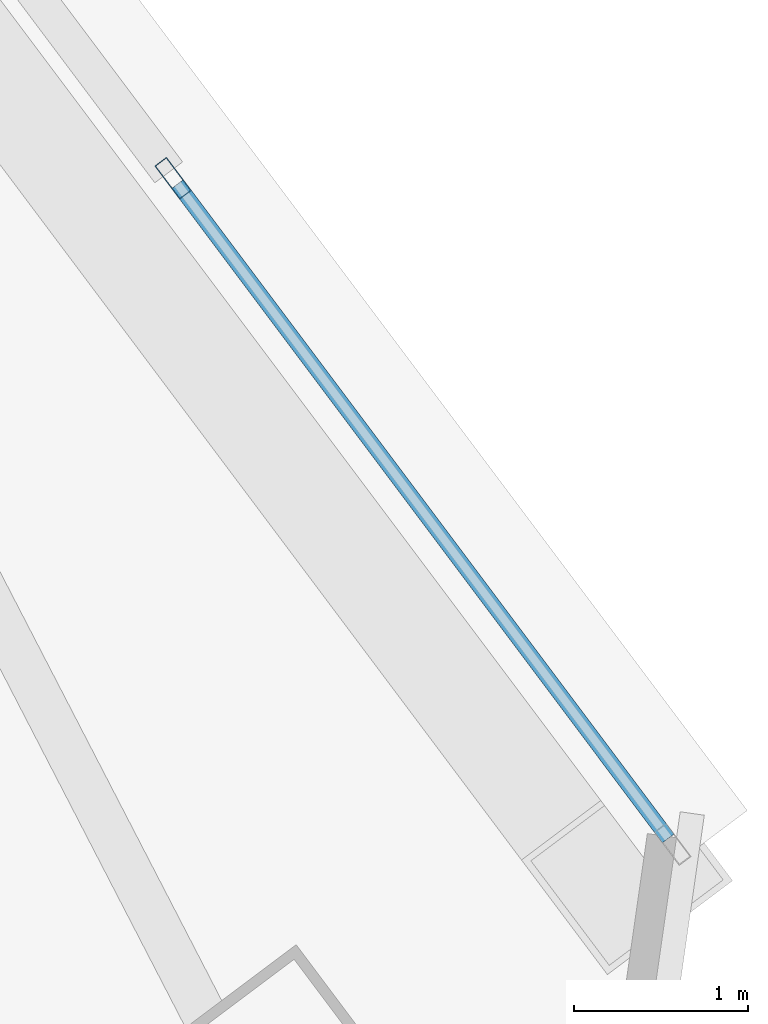
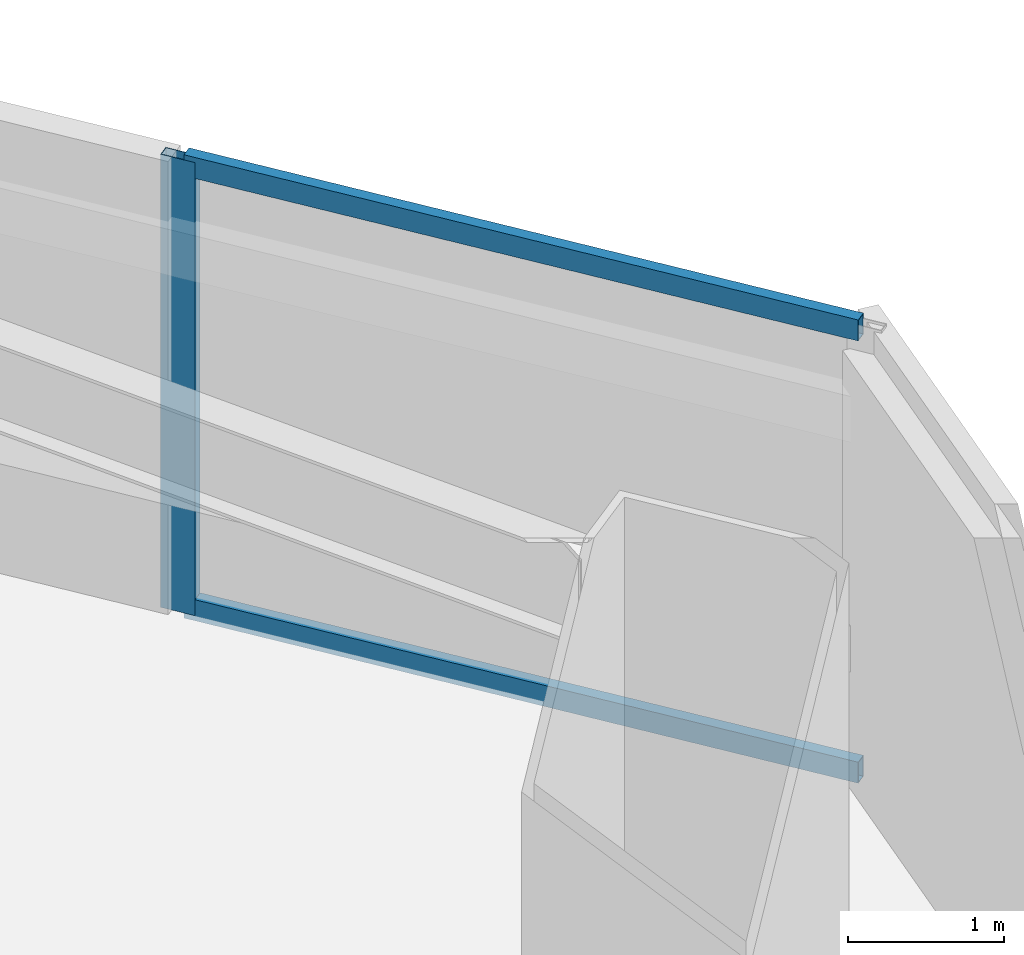
# One storey, part 50 of 75: 3 members, 1 element without a shape of its own.
"""IFC4 building model written with IfcOpenShell, lengths in metres."""

from ifc_helpers import new_model, si_unit, direction, frame, origin, origin_2d, place, context, subcontext, project, spatial, hollow_rectangle, extrude, material, material_profile, profile_set, type_object, element, aggregate, save


model = new_model("IFC4")

# Units and contexts
model_context = context("Model", 3, precision=1e-05, world=origin(), true_north=direction((0.0, 1.0)))
body_context = subcontext(model_context, "Body", "Model", "MODEL_VIEW")
ifc_project = project(units=[si_unit("LENGTHUNIT", "METRE"), si_unit("AREAUNIT", "SQUARE_METRE"), si_unit("VOLUMEUNIT", "CUBIC_METRE"), si_unit("PLANEANGLEUNIT", "RADIAN"), si_unit("MASSUNIT", "GRAM", prefix="KILO")], contexts=[model_context])

# Site, building, storey
site_placement = place(None, origin())
site = spatial("IfcSite", under=ifc_project, at=site_placement, CompositionType="ELEMENT")
building_placement = place(site_placement, origin())
building = spatial("IfcBuilding", under=site, at=building_placement, Name="Tashvorn Skyway Center", CompositionType="ELEMENT")
storey_placement = place(building_placement, frame((0.0, 0.0, 45.89990234375)))
storey = spatial("IfcBuildingStorey", under=building, at=storey_placement, Name="L11", CompositionType="ELEMENT", Elevation=45.89990234375)

# Curtain wall, members
ifc_material = material(Name="Thermally broken bronze-anodized aluminium 6063-T6", Category="aluminium")
curtain_wall_type = type_object("IfcCurtainWallType", Name="CW-CW-Z1", PredefinedType="NOTDEFINED", material=ifc_material)
curtain_wall_placement = place(storey_placement, origin())
curtain_wall = element("IfcCurtainWall", 1, at=curtain_wall_placement, inside=storey, type_object=curtain_wall_type, Name="Tower 2 L11 East Curtain Wall R Glazing Group 1", PredefinedType="NOTDEFINED")
ifc_material_profile_1 = material_profile(ifc_material, hollow_rectangle(XDim=0.0849609375, YDim=0.239990234375, WallThickness=0.0048828125, at=origin_2d()), Name="ALU-MULL-85x240")
ifc_profile_set_1 = profile_set([ifc_material_profile_1], Name="Thermally broken bronze-anodized aluminium 6063-T6")
member_type_1 = type_object("IfcMemberType", Name="CWM-CW-Z1", PredefinedType="MULLION", material=ifc_profile_set_1)
member_1_placement = place(storey_placement, frame((139.771484375, 33.771240234375, 0.0), z_axis=(0.0, 0.0, 1.0), x_axis=(0.799997539287, 0.600003280937, 0.0)))
member_1 = element("IfcMember", 2, at=member_1_placement, type_object=member_type_1, Name="CW-Z1 mullion 1", PredefinedType="MULLION", context=body_context, shape_type="SweptSolid", body=[
    extrude(hollow_rectangle(XDim=0.0849609375, YDim=0.239990234375, WallThickness=0.0048828125, at=origin_2d()), origin(), (0.0, 0.0, 1.0), 3.550048828125),
])
ifc_material_profile_2 = material_profile(ifc_material, hollow_rectangle(XDim=0.0849609375, YDim=0.1650390625, WallThickness=0.0048828125, at=origin_2d()), Name="ALU-TRAN-85x165")
ifc_profile_set_2 = profile_set([ifc_material_profile_2], Name="Thermally broken bronze-anodized aluminium 6063-T6")
member_type_2 = type_object("IfcMemberType", Name="CWT-CW-Z1", PredefinedType="USERDEFINED", material=ifc_profile_set_2)
member_2_placement = place(storey_placement, frame((139.797119140625, 33.7373046875, 0.04248046875), z_axis=(0.59999170061, -0.800006224475, 0.0), x_axis=(0.800006224475, 0.59999170061, 0.0)))
member_2 = element("IfcMember", 3, at=member_2_placement, type_object=member_type_2, Name="CW-Z1 transom 1.1", ObjectType="TRANSOM", PredefinedType="USERDEFINED", context=body_context, shape_type="SweptSolid", body=[
    extrude(hollow_rectangle(XDim=0.0849609375, YDim=0.1650390625, WallThickness=0.0048828125, at=origin_2d()), origin(), (0.0, 0.0, 1.0), 4.706787109375),
])
member_3_placement = place(storey_placement, frame((139.797119140625, 33.7373046875, 3.507568359375), z_axis=(0.59999170061, -0.800006224475, 0.0), x_axis=(0.800006224475, 0.59999170061, 0.0)))
member_3 = element("IfcMember", 4, at=member_3_placement, type_object=member_type_2, Name="CW-Z1 transom 1.2", ObjectType="TRANSOM", PredefinedType="USERDEFINED", context=body_context, shape_type="SweptSolid", body=[
    extrude(hollow_rectangle(XDim=0.0849609375, YDim=0.1650390625, WallThickness=0.0048828125, at=origin_2d()), origin(), (0.0, 0.0, 1.0), 4.706787109375),
])
aggregate(curtain_wall, [member_1, member_2, member_3])

save(model, "model.ifc")
